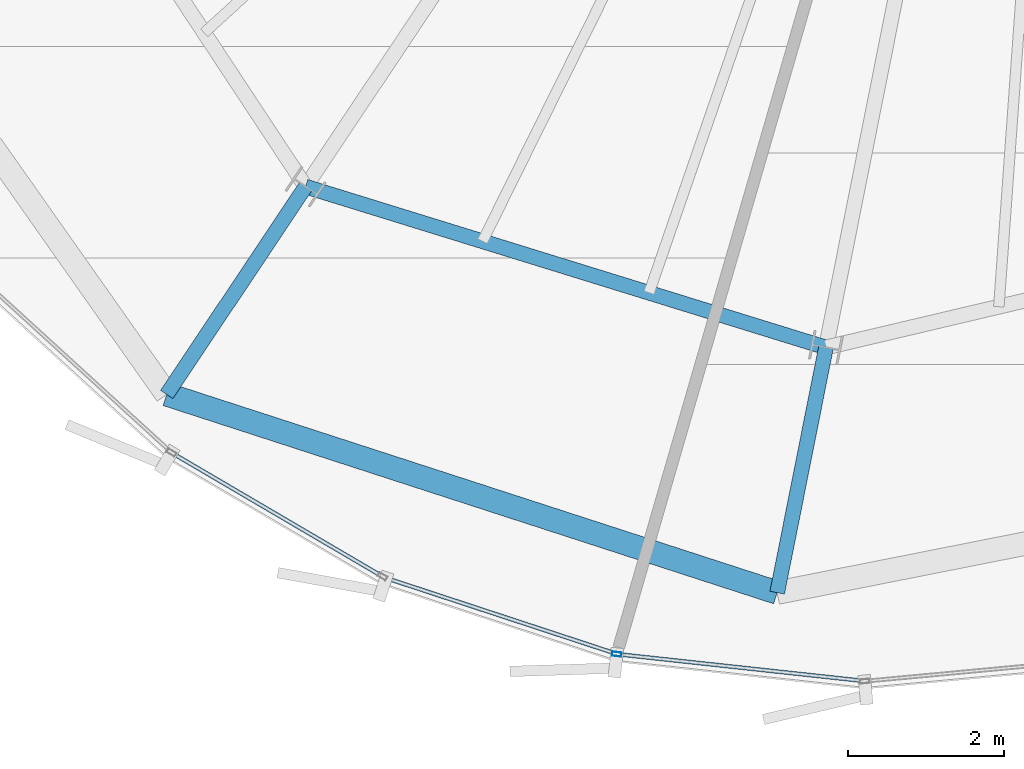
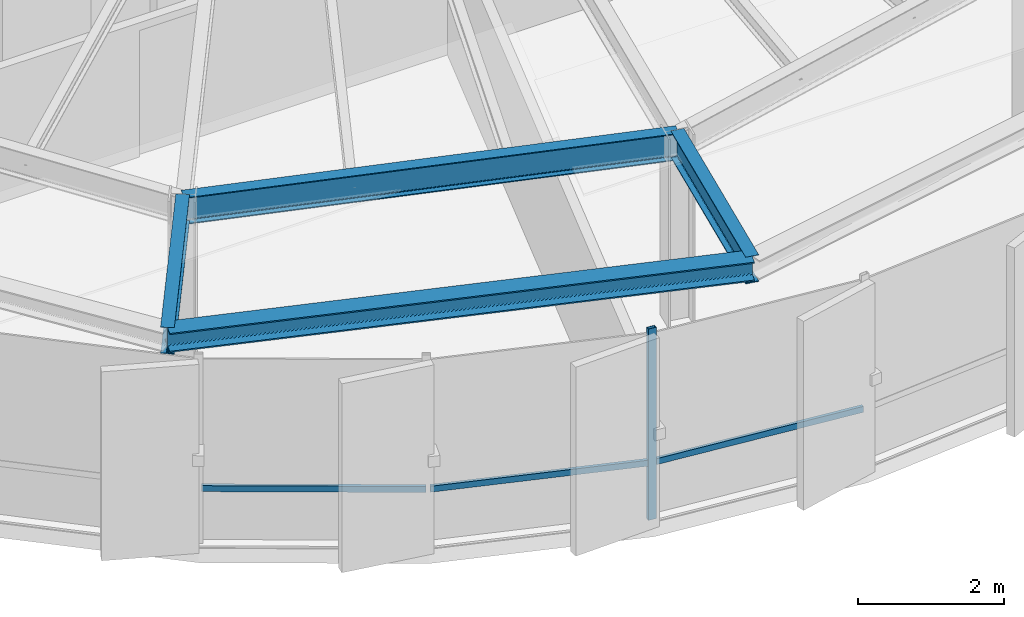
# One storey, part 3 of 30: 4 beams, 4 members, 2 elements without a shape of their own.
"""IFC4 building model written with IfcOpenShell, lengths in metres."""

from ifc_helpers import new_model, si_unit, direction, frame, origin, origin_2d, place, context, subcontext, project, spatial, hollow_rectangle, i_section, extrude, source, transform, mapped, material, layer, layer_set, material_profile, profile_set, type_object, element, aggregate, save


model = new_model("IFC4")

# Units and contexts
model_context = context("Model", 3, precision=1e-05, world=origin(), true_north=direction((0.0, 1.0)))
body_context = subcontext(model_context, "Body", "Model", "MODEL_VIEW")
ifc_project = project(units=[si_unit("LENGTHUNIT", "METRE"), si_unit("AREAUNIT", "SQUARE_METRE"), si_unit("VOLUMEUNIT", "CUBIC_METRE"), si_unit("PLANEANGLEUNIT", "RADIAN"), si_unit("MASSUNIT", "GRAM", prefix="KILO"), si_unit("THERMODYNAMICTEMPERATUREUNIT", "KELVIN")], contexts=[model_context])

# Site, building, storey
site_placement = place(None, origin())
site = spatial("IfcSite", under=ifc_project, at=site_placement, CompositionType="ELEMENT")
building_placement = place(site_placement, origin())
building = spatial("IfcBuilding", under=site, at=building_placement, Name="Kethvar Cultural Tower", CompositionType="ELEMENT")
storey_placement = place(building_placement, frame((0.0, 0.0, 297.39990234375)))
storey = spatial("IfcBuildingStorey", under=building, at=storey_placement, Name="L79", CompositionType="ELEMENT", Elevation=297.39990234375)

# Beams
ifc_material_1 = material(Name="Steel S355J2", Category="steel")
ifc_material_profile_1 = material_profile(ifc_material_1, i_section(OverallWidth=0.18994140625, OverallDepth=0.449951171875, WebThickness=0.009521484375, FlangeThickness=0.0146484375, FilletRadius=0.02099609375, at=origin_2d()), Name="Steel S355J2 — IPE450")
ifc_profile_set_1 = profile_set([ifc_material_profile_1], Name="Steel S355J2 — IPE450")
beam_type_1 = type_object("IfcBeamType", Name="BM-IPE450", PredefinedType="BEAM", material=ifc_profile_set_1)
shared_shape_1 = source(origin(), body_context, "Body", "SweptSolid", [
    extrude(i_section(OverallWidth=0.18994140625, OverallDepth=0.449951171875, WebThickness=0.009521484375, FlangeThickness=0.0146484375, FilletRadius=0.02099609375, at=origin_2d()), origin(), (0.0, 0.0, 1.0), 3.199951171875),
])
beam_1_placement = place(storey_placement, frame((36.731201171875, 12.73095703125, 2.983154296875), z_axis=(-0.555580212716, -0.831462943996, 0.0), x_axis=(0.831462943996, -0.555580212716, 0.0)))
element("IfcBeam", 1, at=beam_1_placement, inside=storey, type_object=beam_type_1, Name="L79 Perimeter Cantilever Beam RC-11", PredefinedType="BEAM", context=body_context, shape_type="MappedRepresentation", body=[
    mapped(shared_shape_1, transform((0.0, 0.0, 0.0), scale=1.0)),
])
shared_shape_2 = source(origin(), body_context, "Body", "SweptSolid", [
    extrude(i_section(OverallWidth=0.18994140625, OverallDepth=0.449951171875, WebThickness=0.009521484375, FlangeThickness=0.0146484375, FilletRadius=0.02099609375, at=origin_2d()), origin(), (0.0, 0.0, 1.0), 3.2001953125),
])
beam_2_placement = place(storey_placement, frame((43.392822265625, 10.67138671875, 2.983154296875), z_axis=(-0.195074368086, -0.980788453702, 0.0), x_axis=(0.980788453702, -0.195074368086, 0.0)))
element("IfcBeam", 2, at=beam_2_placement, inside=storey, type_object=beam_type_1, Name="L79 Perimeter Cantilever Beam RC-12", PredefinedType="BEAM", context=body_context, shape_type="MappedRepresentation", body=[
    mapped(shared_shape_2, transform((0.0, 0.0, 0.0), scale=1.0)),
])
shared_shape_3 = source(origin(), body_context, "Body", "SweptSolid", [
    extrude(i_section(OverallWidth=0.18994140625, OverallDepth=0.449951171875, WebThickness=0.009521484375, FlangeThickness=0.0146484375, FilletRadius=0.02099609375, at=origin_2d()), origin(), (0.0, 0.0, 1.0), 6.97265625),
])
beam_3_placement = place(storey_placement, frame((36.731201171875, 12.73095703125, 2.983154296875), z_axis=(0.955381444404, -0.295374839295, 0.0), x_axis=(0.295374839295, 0.955381444404, 0.0)))
element("IfcBeam", 3, at=beam_3_placement, inside=storey, type_object=beam_type_1, Name="L79 Column Ring Tie Beam CR-11", PredefinedType="BEAM", context=body_context, shape_type="MappedRepresentation", body=[
    mapped(shared_shape_3, transform((0.0, 0.0, 0.0), scale=1.0)),
])
ifc_material_profile_2 = material_profile(ifc_material_1, i_section(OverallWidth=0.300048828125, OverallDepth=0.320068359375, WebThickness=0.011474609375, FlangeThickness=0.0205078125, FilletRadius=0.027099609375, at=origin_2d()), Name="Steel S355J2 — HEB320")
ifc_profile_set_2 = profile_set([ifc_material_profile_2], Name="Steel S355J2 — HEB320")
beam_type_2 = type_object("IfcBeamType", Name="BM-SP320", PredefinedType="SPANDREL", material=ifc_profile_set_2)
shared_shape_4 = source(origin(), body_context, "Body", "SweptSolid", [
    extrude(i_section(OverallWidth=0.300048828125, OverallDepth=0.320068359375, WebThickness=0.011474609375, FlangeThickness=0.0205078125, FilletRadius=0.027099609375, at=origin_2d()), origin(), (0.0, 0.0, 1.0), 8.216796875),
])
beam_4_placement = place(storey_placement, frame((34.953369140625, 10.0703125, 3.048095703125), z_axis=(0.951117661456, -0.30882874553, 0.0), x_axis=(0.30882874553, 0.951117661456, 0.0)))
element("IfcBeam", 4, at=beam_4_placement, inside=storey, type_object=beam_type_2, Name="L79 Perimeter Spandrel Beam SP-11", PredefinedType="SPANDREL", context=body_context, shape_type="MappedRepresentation", body=[
    mapped(shared_shape_4, transform((0.0, 0.0, 0.0), scale=1.0)),
])

# Curtain wall, members
ifc_material_2 = material(Name="Aluminium 6063-T6", Category="aluminium")
ifc_layer = layer(ifc_material_2, 0.179931640625, Name="Aluminium 6063-T6", Category="aluminium")
ifc_layer_set = layer_set([ifc_layer], Name="Aluminium 6063-T6 (180 mm)")
curtain_wall_type = type_object("IfcCurtainWallType", Name="CW-SYS-05-Z56", PredefinedType="NOTDEFINED", material=ifc_layer_set)
curtain_wall_1_placement = place(storey_placement, origin())
curtain_wall_1 = element("IfcCurtainWall", 5, at=curtain_wall_1_placement, inside=storey, type_object=curtain_wall_type, Name="L79 Curtain Wall Run 04", PredefinedType="NOTDEFINED")
ifc_material_profile_3 = material_profile(ifc_material_2, hollow_rectangle(XDim=0.054931640625, YDim=0.1201171875, WallThickness=0.00390625, at=origin_2d()), Name="Aluminium 6063-T6 — RHS120x55x4")
ifc_profile_set_3 = profile_set([ifc_material_profile_3], Name="Aluminium 6063-T6 — RHS120x55x4")
member_type_1 = type_object("IfcMemberType", Name="CW-SYS-05-Z56-MUL", PredefinedType="MULLION", material=ifc_profile_set_3)
shared_shape_5 = source(origin(), body_context, "Body", "SweptSolid", [
    extrude(hollow_rectangle(XDim=0.054931640625, YDim=0.1201171875, WallThickness=0.00390625, at=origin_2d()), origin(), (0.0, 0.0, 1.0), 3.210205078125),
])
member_1_placement = place(storey_placement, frame((40.715087890625, 6.74560546875, 0.0), z_axis=(0.0, 0.0, 1.0), x_axis=(0.107982004482, 0.994152848765, 0.0)))
member_1 = element("IfcMember", 6, at=member_1_placement, type_object=member_type_1, Name="CW-L79-R04 Mullion 2", PredefinedType="MULLION", context=body_context, shape_type="MappedRepresentation", body=[
    mapped(shared_shape_5, transform((0.0, 0.0, 0.0), scale=1.0)),
])
ifc_material_profile_4 = material_profile(ifc_material_2, hollow_rectangle(XDim=0.050048828125, YDim=0.10009765625, WallThickness=0.00390625, at=origin_2d()), Name="Aluminium 6063-T6 — RHS100x50x4")
ifc_profile_set_4 = profile_set([ifc_material_profile_4], Name="Aluminium 6063-T6 — RHS100x50x4")
member_type_2 = type_object("IfcMemberType", Name="CW-SYS-05-Z56-TRN", PredefinedType="USERDEFINED", material=ifc_profile_set_4)
shared_shape_6 = source(origin(), body_context, "Body", "SweptSolid", [
    extrude(hollow_rectangle(XDim=0.050048828125, YDim=0.10009765625, WallThickness=0.00390625, at=origin_2d()), origin(), (0.0, 0.0, 1.0), 3.133544921875),
])
member_2_placement = place(storey_placement, frame((40.75439453125, 6.741455078125, 0.9501953125), z_axis=(0.994152466207, -0.107985526502, 0.0), x_axis=(0.107985526502, 0.994152466207, 0.0)))
member_2 = element("IfcMember", 7, at=member_2_placement, type_object=member_type_2, Name="CW-L79-R04 Transom 2", ObjectType="TRANSOM", PredefinedType="USERDEFINED", context=body_context, shape_type="MappedRepresentation", body=[
    mapped(shared_shape_6, transform((0.0, 0.0, 0.0), scale=1.0)),
])

# Curtain wall, member
curtain_wall_2_placement = place(storey_placement, origin())
curtain_wall_2 = element("IfcCurtainWall", 8, at=curtain_wall_2_placement, inside=storey, type_object=curtain_wall_type, Name="L79 Curtain Wall Run 03", PredefinedType="NOTDEFINED")
shared_shape_7 = source(origin(), body_context, "Body", "SweptSolid", [
    extrude(hollow_rectangle(XDim=0.050048828125, YDim=0.10009765625, WallThickness=0.00390625, at=origin_2d()), origin(), (0.0, 0.0, 1.0), 3.08837890625),
])
member_3_placement = place(storey_placement, frame((35.048095703125, 9.3046875, 0.9501953125), z_axis=(0.862563547001, -0.505948739878, 0.0), x_axis=(0.505948739878, 0.862563547001, 0.0)))
member_3 = element("IfcMember", 9, at=member_3_placement, type_object=member_type_2, Name="CW-L79-R03 Transom 6", ObjectType="TRANSOM", PredefinedType="USERDEFINED", context=body_context, shape_type="MappedRepresentation", body=[
    mapped(shared_shape_7, transform((0.0, 0.0, 0.0), scale=1.0)),
])
aggregate(curtain_wall_2, [member_3])

# Member
shared_shape_8 = source(origin(), body_context, "Body", "SweptSolid", [
    extrude(hollow_rectangle(XDim=0.050048828125, YDim=0.10009765625, WallThickness=0.00390625, at=origin_2d()), origin(), (0.0, 0.0, 1.0), 3.088134765625),
])
member_4_placement = place(storey_placement, frame((37.764404296875, 7.718505859375, 0.9501953125), z_axis=(0.94994060962, -0.31243053339, 0.0), x_axis=(0.31243053339, 0.94994060962, 0.0)))
member_4 = element("IfcMember", 10, at=member_4_placement, type_object=member_type_2, Name="CW-L79-R04 Transom 1", ObjectType="TRANSOM", PredefinedType="USERDEFINED", context=body_context, shape_type="MappedRepresentation", body=[
    mapped(shared_shape_8, transform((0.0, 0.0, 0.0), scale=1.0)),
])

aggregate(curtain_wall_1, [member_1, member_4, member_2])

save(model, "model.ifc")
